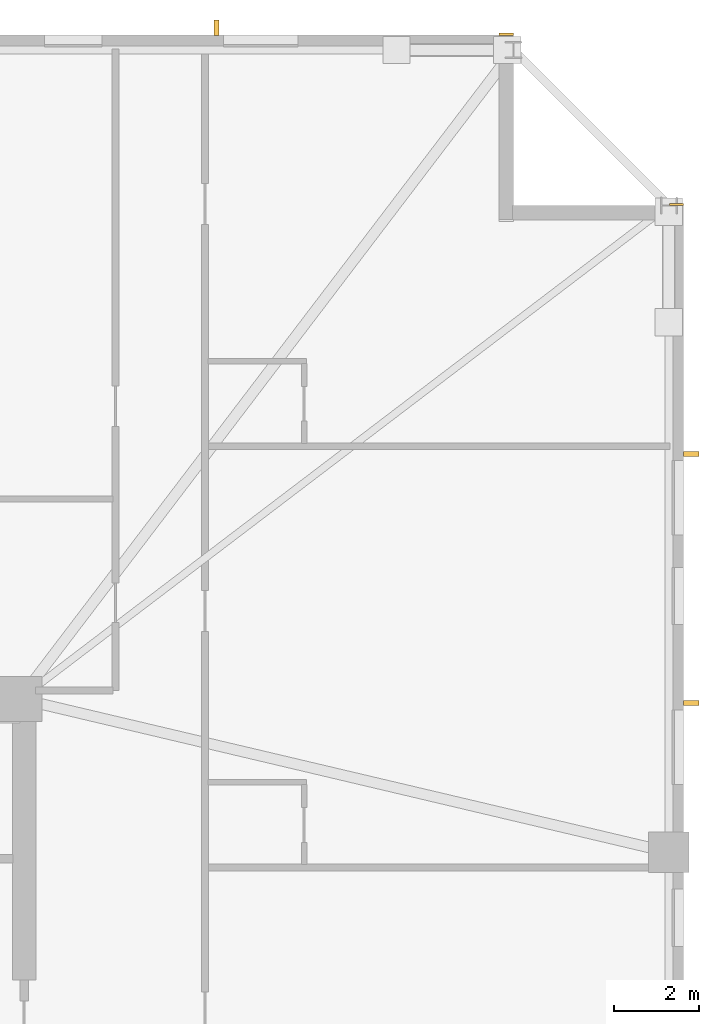
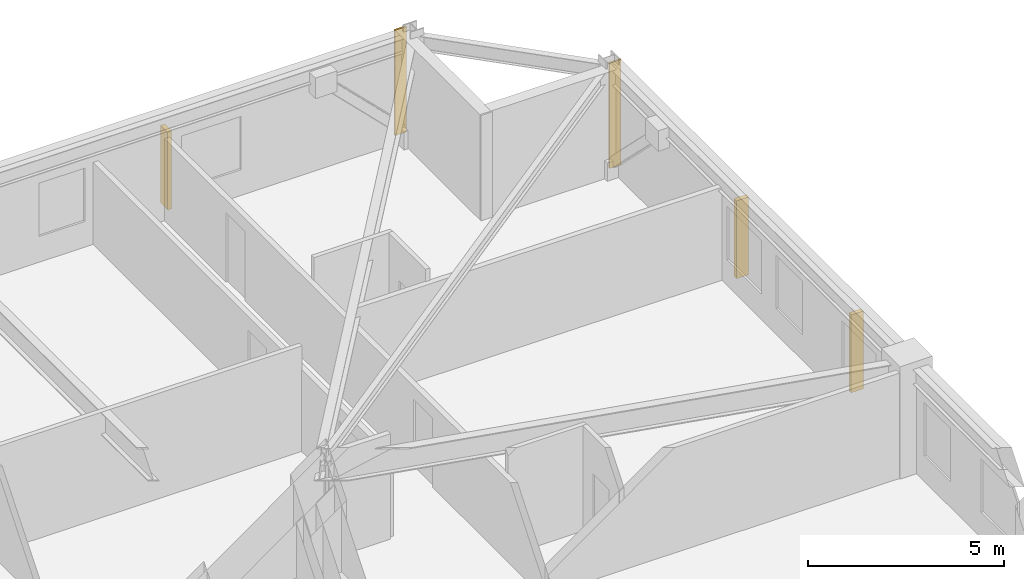
# One storey, part 11 of 11: 3 shading devices, 2 coverings.
"""IFC4 building model written with IfcOpenShell, lengths in metres."""

from ifc_helpers import new_model, si_unit, direction, frame, frame_2d, origin, origin_2d, place, context, subcontext, project, spatial, rectangle, extrude, material, layer, layer_set, type_object, element, save


model = new_model("IFC4")

# Units and contexts
model_context = context("Model", 3, precision=1e-05, world=origin(), true_north=direction((0.0, 1.0)))
body_context = subcontext(model_context, "Body", "Model", "MODEL_VIEW")
ifc_project = project(units=[si_unit("LENGTHUNIT", "METRE"), si_unit("AREAUNIT", "SQUARE_METRE"), si_unit("VOLUMEUNIT", "CUBIC_METRE"), si_unit("PLANEANGLEUNIT", "RADIAN"), si_unit("MASSUNIT", "GRAM", prefix="KILO")], contexts=[model_context])

# Site, building, storey
site_placement = place(None, origin())
site = spatial("IfcSite", under=ifc_project, at=site_placement, CompositionType="ELEMENT")
building_placement = place(site_placement, origin())
building = spatial("IfcBuilding", under=site, at=building_placement, Name="Cairnveth Concourse Tower", CompositionType="ELEMENT")
storey_placement = place(building_placement, frame((0.0, 0.0, 165.5)))
storey = spatial("IfcBuildingStorey", under=building, at=storey_placement, Name="L45", CompositionType="ELEMENT", Elevation=165.5)

# Coverings
ifc_material_1 = material(Name="Dressed Melbourne Bluestone Cladding", Category="masonry")
ifc_layer = layer(ifc_material_1, 0.050048828125)
ifc_layer_set = layer_set([ifc_layer], Name="Dressed Melbourne Bluestone Cladding")
covering_type = type_object("IfcCoveringType", Name="DRESSED BLUESTONE PLINTH CLADDING 50", PredefinedType="CLADDING", material=ifc_layer_set)
for number, where, z_axis, x_axis, name in (
    (1, (71.659912109375, 63.02001953125, 0.0), (0.0, 0.0, 1.0), (1.0, 0.0, 0.0), "Melbourne Bluestone Corner Quoin L45-666"),
    (2, (75.659912109375, 59.02001953125, 0.0), (0.0, 0.0, 1.0), (1.0, 0.0, 0.0), "Melbourne Bluestone Corner Quoin L45-668"),
):
    element("IfcCovering", number, at=place(storey_placement, frame(where, z_axis=z_axis, x_axis=x_axis)), inside=storey, type_object=covering_type, Name=name, PredefinedType="CLADDING", context=body_context, shape_type="SweptSolid", body=[
        extrude(rectangle(XDim=0.340087890625, YDim=0.050048828125, at=frame_2d((0.169921875, 0.0))), origin(), (0.0, 0.0, 1.0), 3.280029296875),
    ])

# Shading devices
ifc_material_2 = material(Name="Architectural Bronze Anodised Aluminium 6063-T6", Category="aluminium")
shading_device_type = type_object("IfcShadingDeviceType", Name="GOTHIC BRONZE VERTICAL LANCET FIN", PredefinedType="USERDEFINED", material=ifc_material_2)
for number, where, z_axis, x_axis, name in (
    (3, (65.020263671875, 63.175048828125, 0.030029296875), (0.0, 0.0, 1.0), (1.0, 0.0, 0.0), "Gothic Bronze Vertical Fin L45-6-9"),
    (4, (76.175048828125, 53.158203125, 0.030029296875), (0.0, 0.0, 1.0), (0.0, 1.0, 0.0), "Gothic Bronze Vertical Fin L45-9-1"),
    (5, (76.175048828125, 47.301025390625, 0.030029296875), (0.0, 0.0, 1.0), (0.0, 1.0, 0.0), "Gothic Bronze Vertical Fin L45-9-3"),
):
    element("IfcShadingDevice", number, at=place(storey_placement, frame(where, z_axis=z_axis, x_axis=x_axis)), inside=storey, type_object=shading_device_type, Name=name, ObjectType="VERTICAL FIN", PredefinedType="USERDEFINED", context=body_context, shape_type="SweptSolid", body=[
        extrude(rectangle(XDim=0.1201171875, YDim=0.360107421875, at=origin_2d()), origin(), (0.0, 0.0, 1.0), 2.419921875),
    ])

save(model, "model.ifc")
